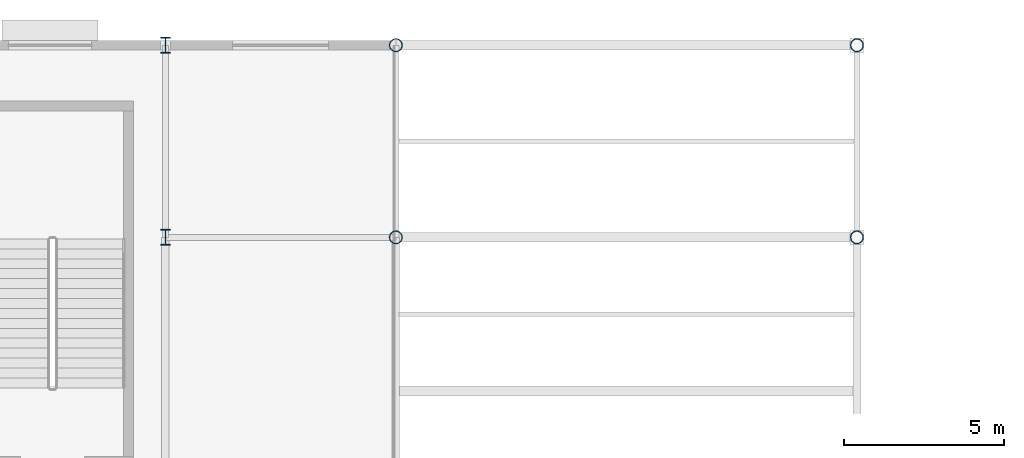
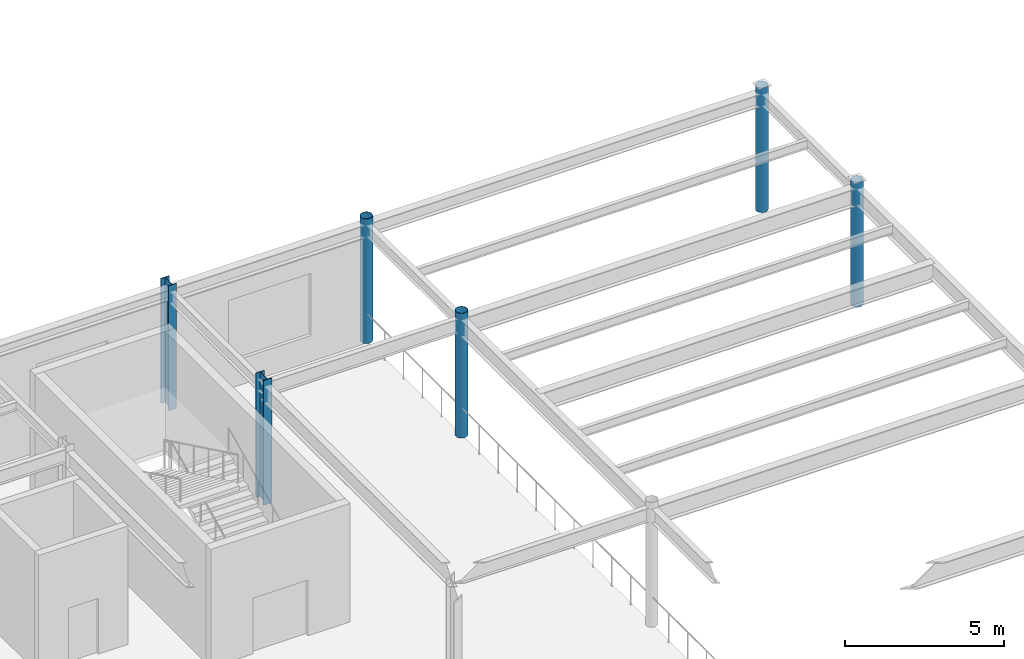
# One storey, part 13 of 121: 6 columns.
"""IFC4 building model written with IfcOpenShell, lengths in metres."""

from ifc_helpers import new_model, si_unit, direction, frame, origin, origin_2d, place, context, subcontext, project, spatial, hollow_circle, i_section, extrude, material, material_profile, profile_set, type_object, element, save


model = new_model("IFC4")

# Units and contexts
model_context = context("Model", 3, precision=1e-05, world=origin(), true_north=direction((0.0, 1.0)))
body_context = subcontext(model_context, "Body", "Model", "MODEL_VIEW")
ifc_project = project(units=[si_unit("LENGTHUNIT", "METRE"), si_unit("AREAUNIT", "SQUARE_METRE"), si_unit("VOLUMEUNIT", "CUBIC_METRE"), si_unit("PLANEANGLEUNIT", "RADIAN"), si_unit("MASSUNIT", "GRAM", prefix="KILO")], contexts=[model_context])

# Site, building, storey
site_placement = place(None, origin())
site = spatial("IfcSite", under=ifc_project, at=site_placement, CompositionType="ELEMENT")
building_placement = place(site_placement, origin())
building = spatial("IfcBuilding", under=site, at=building_placement, Name="Solvadek Multi-Sports Hall", CompositionType="ELEMENT")
storey_placement = place(building_placement, frame((0.0, 0.0, 4.800048828125)))
storey = spatial("IfcBuildingStorey", under=building, at=storey_placement, Name="L01", CompositionType="ELEMENT", Elevation=4.800048828125)

# Columns
ifc_material = material(Name="Steel E350 (350 MPa)", Category="steel")
ifc_material_profile_1 = material_profile(ifc_material, hollow_circle(Radius=0.203125, WallThickness=0.01611328125, at=origin_2d()), Name="CHS 406.4x16")
ifc_profile_set_1 = profile_set([ifc_material_profile_1], Name="Steel E350 (350 MPa)")
column_type_1 = type_object("IfcColumnType", Name="STR-COL-CHS406", PredefinedType="COLUMN", material=ifc_profile_set_1)
for number, where, z_axis, x_axis, name in (
    (1, (72.0, 104.39990234375, 0.0), (0.0, 0.0, 1.0), (1.0, 0.0, 0.0), "L01 Column C-11 #158"),
    (2, (72.0, 110.39990234375, 0.0), (0.0, 0.0, 1.0), (1.0, 0.0, 0.0), "L01 Column C-11 #159"),
    (3, (86.39990234375, 104.39990234375, 0.0), (0.0, 0.0, 1.0), (1.0, 0.0, 0.0), "L01 Column C-11 #188"),
    (4, (86.39990234375, 110.39990234375, 0.0), (0.0, 0.0, 1.0), (1.0, 0.0, 0.0), "L01 Column C-11 #189"),
):
    element("IfcColumn", number, at=place(storey_placement, frame(where, z_axis=z_axis, x_axis=x_axis)), inside=storey, type_object=column_type_1, Name=name, PredefinedType="COLUMN", context=body_context, shape_type="SweptSolid", body=[
        extrude(hollow_circle(Radius=0.203125, WallThickness=0.01611328125, at=origin_2d()), origin(), (0.0, 0.0, 1.0), 4.800048828125),
    ])
ifc_material_profile_2 = material_profile(ifc_material, i_section(OverallWidth=0.300048828125, OverallDepth=0.5, WebThickness=0.014404296875, FlangeThickness=0.028076171875, at=origin_2d()), Name="WPB 500")
ifc_profile_set_2 = profile_set([ifc_material_profile_2], Name="Steel E350 (350 MPa)")
column_type_2 = type_object("IfcColumnType", Name="STR-COL-WPB500", PredefinedType="COLUMN", material=ifc_profile_set_2)
for number, where, z_axis, x_axis, name in (
    (5, (64.800048828125, 104.39990234375, 0.0), (0.0, 0.0, 1.0), (1.0, 0.0, 0.0), "L01 Column C-05 #142"),
    (6, (64.800048828125, 110.39990234375, 0.0), (0.0, 0.0, 1.0), (1.0, 0.0, 0.0), "L01 Column C-05 #143"),
):
    element("IfcColumn", number, at=place(storey_placement, frame(where, z_axis=z_axis, x_axis=x_axis)), inside=storey, type_object=column_type_2, Name=name, PredefinedType="COLUMN", context=body_context, shape_type="SweptSolid", body=[
        extrude(i_section(OverallWidth=0.300048828125, OverallDepth=0.5, WebThickness=0.014404296875, FlangeThickness=0.028076171875, at=origin_2d()), origin(), (0.0, 0.0, 1.0), 4.800048828125),
    ])

save(model, "model.ifc")
